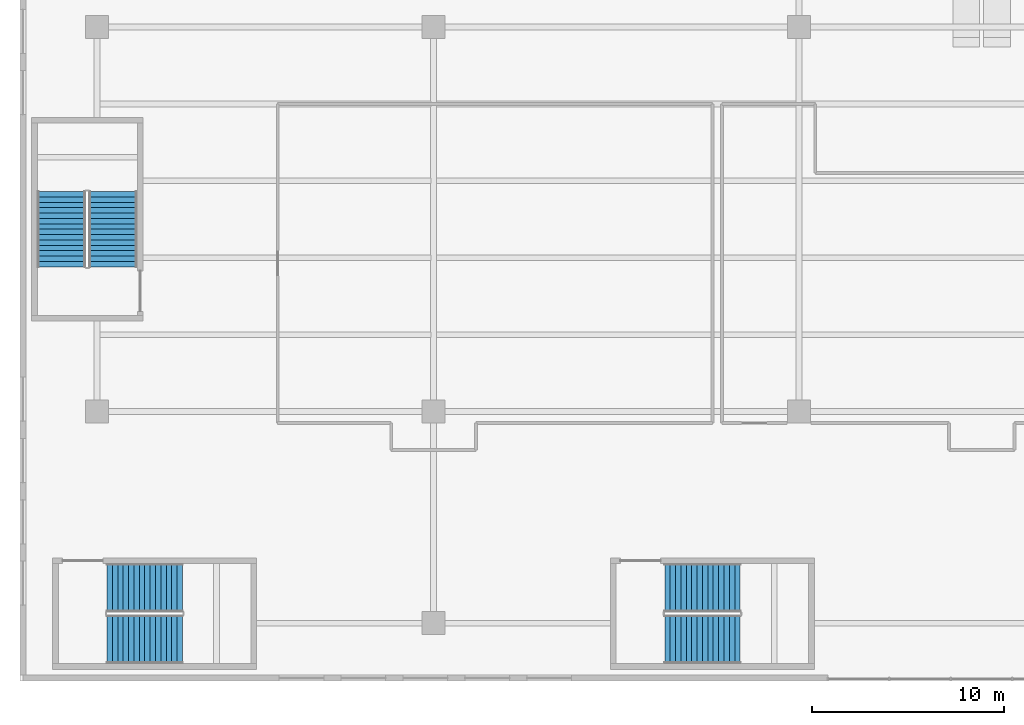
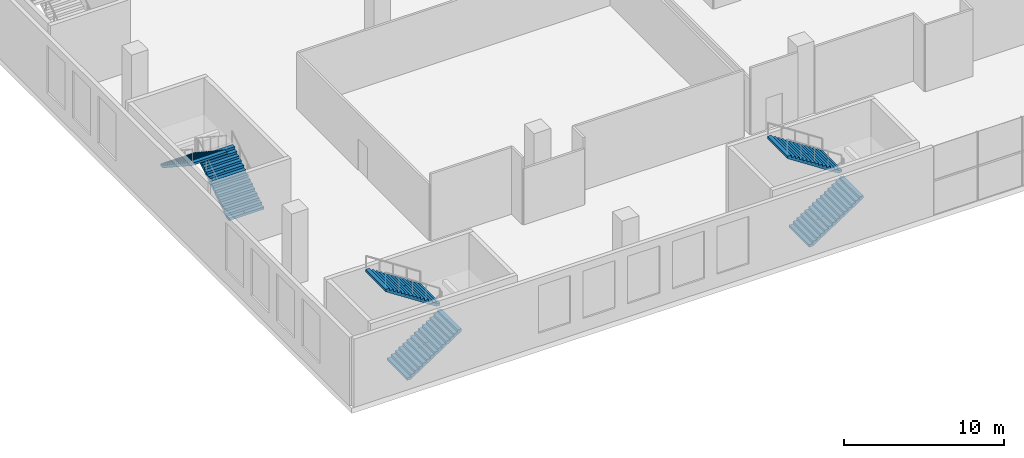
# One storey, part 13 of 26: 6 stair flights, 3 elements without a shape of their own.
"""IFC4 building model written with IfcOpenShell, lengths in metres."""

import ifcopenshell
import ifcopenshell.guid

model = None  # the IFC model being written
_history = None  # IfcOwnerHistory: only IFC2X3 demands one
_inside = {}  # id of a spatial element -> (the spatial element, [elements in it])
_under = {}  # id of a project, library or spatial element -> (it, [spatial elements below it])
_declared = {}  # id of a project -> (the project, [libraries it declares])
_typed = {}  # id of a type object -> (the type object, [elements of that type])
_made_of = {}  # id of a material, layer set ... -> (it, [elements and type objects made of it])


def new_model(schema):
    """Start an empty IFC model of exactly this schema.

    Asked for "IFC4X3", IfcOpenShell would pick the latest addendum, in which some entities
    have other attributes; the version numbers below select the first issue.
    IFC2X3 requires an IfcOwnerHistory on every rooted entity: one is made here for all.
    """
    global model, _history
    if schema == "IFC4X3":
        model = ifcopenshell.file(schema_version=(4, 3, 0, 0))
    else:
        model = ifcopenshell.file(schema=schema)
    _inside.clear()
    _under.clear()
    _declared.clear()
    _typed.clear()
    _made_of.clear()
    _history = None
    if model.schema == "IFC2X3":
        org = make("IfcOrganization", Name="unknown")
        user = make(
            "IfcPersonAndOrganization",
            ThePerson=make("IfcPerson", FamilyName="unknown"),
            TheOrganization=org,
        )
        app = make(
            "IfcApplication",
            ApplicationDeveloper=org,
            Version="unknown",
            ApplicationFullName="unknown",
            ApplicationIdentifier="unknown",
        )
        _history = make(
            "IfcOwnerHistory",
            OwningUser=user,
            OwningApplication=app,
            ChangeAction="ADDED",
            CreationDate=0,
        )
    return model


def make(cls, **values):
    """One entity of the class cls with the attributes given. An attribute that is None is left unset."""
    return model.create_entity(
        cls, **{name: value for name, value in values.items() if value is not None}
    )


def rooted(cls, **values):
    """An entity with a GlobalId (a new one), such as an element, a storey or a relation."""
    return make(cls, GlobalId=ifcopenshell.guid.new(), OwnerHistory=_history, **values)


def si_unit(unit_type, name, prefix=None):
    """IfcSIUnit, for example si_unit("LENGTHUNIT", "METRE", prefix="MILLI")."""
    return make("IfcSIUnit", UnitType=unit_type, Prefix=prefix, Name=name)


def assignment(units):
    """IfcUnitAssignment: the units of a project."""
    return None if units is None else make("IfcUnitAssignment", Units=units)


def point(xyz):
    """IfcCartesianPoint."""
    return None if xyz is None else make("IfcCartesianPoint", Coordinates=xyz)


def direction(xyz):
    """IfcDirection."""
    return None if xyz is None else make("IfcDirection", DirectionRatios=xyz)


def frame(location, z_axis=None, x_axis=None):
    """IfcAxis2Placement3D, a coordinate frame: its origin and axes. An axis left out is left unset."""
    return make(
        "IfcAxis2Placement3D",
        Location=point(location),
        Axis=direction(z_axis),
        RefDirection=direction(x_axis),
    )


def origin():
    """The frame at (0, 0, 0) with its axes left unset."""
    return frame((0.0, 0.0, 0.0))


def place(relative_to, where):
    """IfcLocalPlacement: puts the frame where relative to a parent placement (None: the world)."""
    return make(
        "IfcLocalPlacement", PlacementRelTo=relative_to, RelativePlacement=where
    )


def context(
    kind, dimensions, precision=None, world=None, true_north=None, identifier=None
):
    """IfcGeometricRepresentationContext, for example the 3D "Model" context."""
    return make(
        "IfcGeometricRepresentationContext",
        ContextIdentifier=identifier,
        ContextType=kind,
        CoordinateSpaceDimension=dimensions,
        Precision=precision,
        WorldCoordinateSystem=world,
        TrueNorth=true_north,
    )


def subcontext(parent, identifier, kind, view, scale=None):
    """IfcGeometricRepresentationSubContext, for example "Body" below "Model"."""
    return make(
        "IfcGeometricRepresentationSubContext",
        ContextIdentifier=identifier,
        ContextType=kind,
        ParentContext=parent,
        TargetScale=scale,
        TargetView=view,
    )


def project(units=None, contexts=None):
    """IfcProject with its units and contexts."""
    return rooted(
        "IfcProject",
        Name="project",
        RepresentationContexts=contexts,
        UnitsInContext=assignment(units),
    )


def spatial(cls, under=None, at=None, **own):
    """A site, building, storey or space (cls), placed at a placement, below another one or the project."""
    s = rooted(cls, ObjectPlacement=at, **own)
    if under is not None:
        _under.setdefault(under.id(), (under, []))[1].append(s)
    return s


def polyline(points):
    """IfcPolyline through the points."""
    return make("IfcPolyline", Points=[point(p) for p in points])


def outline(outer, holes=None, kind="AREA"):
    """IfcArbitraryClosedProfileDef: a profile drawn as a closed curve; with holes, ...WithVoids."""
    if holes is None:
        return make("IfcArbitraryClosedProfileDef", ProfileType=kind, OuterCurve=outer)
    return make(
        "IfcArbitraryProfileDefWithVoids",
        ProfileType=kind,
        OuterCurve=outer,
        InnerCurves=holes,
    )


def extrude(swept, where, along, depth):
    """IfcExtrudedAreaSolid: the profile swept, set in the frame where, extruded along a direction by depth."""
    return make(
        "IfcExtrudedAreaSolid",
        SweptArea=swept,
        Position=where,
        ExtrudedDirection=direction(along),
        Depth=depth,
    )


def shape(context_of_items, identifier, shape_type, items):
    """IfcShapeRepresentation: the items that make up one representation, for example the "Body"."""
    return make(
        "IfcShapeRepresentation",
        ContextOfItems=context_of_items,
        RepresentationIdentifier=identifier,
        RepresentationType=shape_type,
        Items=items,
    )


def material(Name=None, Category=None):
    """IfcMaterial."""
    return make("IfcMaterial", Name=Name, Category=Category)


def made_of(thing, what):
    """Note that an element or type object is made of a material, layer set ...; save() writes the relation."""
    if what is not None:
        _made_of.setdefault(what.id(), (what, []))[1].append(thing)
    return thing


def type_object(cls, material=None, **own):
    """A type object (cls), such as IfcWallType, which elements share."""
    return made_of(rooted(cls, **own), material)


def element(
    cls,
    number,
    at=None,
    inside=None,
    cuts=None,
    type_object=None,
    material=None,
    context=None,
    identifier="Body",
    shape_type=None,
    held_by="IfcProductDefinitionShape",
    body=None,
    shapes=None,
    **own,
):
    """One element of the class cls, such as IfcWall. Its Tag is "e" and its number.

    at: its placement. inside: the storey or other place that contains it. cuts: it is an
    opening in that element (IfcRelVoidsElement). A single representation is given by context,
    identifier, shape_type and body (its items); several are given by shapes. held_by: the class
    of the entity that holds the representations. save() writes the other relations.
    """
    e = rooted(cls, Tag="e%d" % number, ObjectPlacement=at, **own)
    if body is not None:
        shapes = [shape(context, identifier, shape_type, body)]
    if shapes is not None:
        e.Representation = make(held_by, Representations=shapes)
    if inside is not None:
        _inside.setdefault(inside.id(), (inside, []))[1].append(e)
    if cuts is not None:
        rooted(
            "IfcRelVoidsElement", RelatingBuildingElement=cuts, RelatedOpeningElement=e
        )
    if type_object is not None:
        _typed.setdefault(type_object.id(), (type_object, []))[1].append(e)
    return made_of(e, material)


def aggregate(whole, parts):
    """IfcRelAggregates: a whole, such as a stair, and the parts it consists of."""
    return rooted("IfcRelAggregates", RelatingObject=whole, RelatedObjects=parts)


def save(model, path):
    """Write the relations noted so far, then the file.

    IfcRelAggregates (storeys below a building ...), IfcRelContainedInSpatialStructure (elements
    in a storey), IfcRelDefinesByType, IfcRelAssociatesMaterial and IfcRelDeclares: one each for
    every whole, place, type object, material and project.
    """
    for whole, parts in _under.values():
        aggregate(whole, parts)
    for where, things in _inside.values():
        rooted(
            "IfcRelContainedInSpatialStructure",
            RelatedElements=things,
            RelatingStructure=where,
        )
    for kind, things in _typed.values():
        rooted("IfcRelDefinesByType", RelatedObjects=things, RelatingType=kind)
    for what, things in _made_of.values():
        rooted("IfcRelAssociatesMaterial", RelatedObjects=things, RelatingMaterial=what)
    for by, libraries in _declared.values():
        rooted("IfcRelDeclares", RelatingContext=by, RelatedDefinitions=libraries)
    model.write(path)


model = new_model("IFC4")

# Units and contexts
model_context = context("Model", 3, precision=1e-05, world=origin(), true_north=direction((0.0, 1.0)))
body_context = subcontext(model_context, "Body", "Model", "MODEL_VIEW")
ifc_project = project(units=[si_unit("LENGTHUNIT", "METRE"), si_unit("AREAUNIT", "SQUARE_METRE"), si_unit("VOLUMEUNIT", "CUBIC_METRE"), si_unit("PLANEANGLEUNIT", "RADIAN"), si_unit("MASSUNIT", "GRAM", prefix="KILO")], contexts=[model_context])

# Site, building, storey
site_placement = place(None, origin())
site = spatial("IfcSite", under=ifc_project, at=site_placement, CompositionType="ELEMENT")
building_placement = place(site_placement, origin())
building = spatial("IfcBuilding", under=site, at=building_placement, Name="Tel Ilan Convention Tower", CompositionType="ELEMENT")
storey_placement = place(building_placement, frame((0.0, 0.0, 37.5)))
storey = spatial("IfcBuildingStorey", under=building, at=storey_placement, Name="L05", CompositionType="ELEMENT", Elevation=37.5)

# Stair, stair flights
ifc_material_1 = material(Name="Concrete C40/50", Category="concrete")
stair_type = type_object("IfcStairType", Name="Pressurised Exit Stair 30 risers 183 mm", PredefinedType="HALF_TURN_STAIR", material=ifc_material_1)
stair_1_placement = place(storey_placement, origin())
stair_1 = element("IfcStair", 1, at=stair_1_placement, inside=storey, type_object=stair_type, Name="L05 Podium Exit Stair P1", PredefinedType="HALF_TURN_STAIR")
ifc_material_2 = material(Name="Precast Concrete C40/50", Category="concrete")
stair_flight_type = type_object("IfcStairFlightType", Name="Concrete Stair Flight 2525 mm 30 risers 183 mm", PredefinedType="STRAIGHT", material=ifc_material_2)
stair_flight_1_placement = place(storey_placement, frame((-45.47509765625, -79.83740234375, 0.0), z_axis=(0.0, 0.0, 1.0), x_axis=(1.0, 0.0, 0.0)))
stair_flight_1 = element("IfcStairFlight", 2, at=stair_flight_1_placement, type_object=stair_flight_type, Name="P1 flight 1", NumberOfRisers=15, NumberOfTreads=14, PredefinedType="STRAIGHT", RiserHeight=0.183333333, TreadLength=0.28, context=body_context, shape_type="SweptSolid", body=[
    extrude(outline(polyline([(0.0, 0.0), (0.0, 0.183349609375), (0.280029296875, 0.183349609375), (0.280029296875, 0.36669921875), (0.56005859375, 0.36669921875), (0.56005859375, 0.550048828125), (0.840087890625, 0.550048828125), (0.840087890625, 0.7333984375), (1.1201171875, 0.7333984375), (1.1201171875, 0.916748046875), (1.39990234375, 0.916748046875), (1.39990234375, 1.10009765625), (1.679931640625, 1.10009765625), (1.679931640625, 1.283447265625), (1.9599609375, 1.283447265625), (1.9599609375, 1.466552734375), (2.239990234375, 1.466552734375), (2.239990234375, 1.64990234375), (2.52001953125, 1.64990234375), (2.52001953125, 1.833251953125), (2.800048828125, 1.833251953125), (2.800048828125, 2.0166015625), (3.080078125, 2.0166015625), (3.080078125, 2.199951171875), (3.360107421875, 2.199951171875), (3.360107421875, 2.38330078125), (3.639892578125, 2.38330078125), (3.639892578125, 2.566650390625), (3.919921875, 2.566650390625), (3.919921875, 2.75), (3.919921875, 2.387451171875), (0.273681640625, 0.0), (0.0, 0.0)])), frame((0.0, -0.100341796875, 0.0), z_axis=(0.0, -1.0, 0.0), x_axis=(1.0, 0.0, 0.0)), (0.0, 0.0, 1.0), 1.162109375),
    extrude(outline(polyline([(0.0, 0.0), (0.0, 0.183349609375), (0.280029296875, 0.183349609375), (0.280029296875, 0.36669921875), (0.56005859375, 0.36669921875), (0.56005859375, 0.550048828125), (0.840087890625, 0.550048828125), (0.840087890625, 0.7333984375), (1.1201171875, 0.7333984375), (1.1201171875, 0.916748046875), (1.39990234375, 0.916748046875), (1.39990234375, 1.10009765625), (1.679931640625, 1.10009765625), (1.679931640625, 1.283447265625), (1.9599609375, 1.283447265625), (1.9599609375, 1.466552734375), (2.239990234375, 1.466552734375), (2.239990234375, 1.64990234375), (2.52001953125, 1.64990234375), (2.52001953125, 1.833251953125), (2.800048828125, 1.833251953125), (2.800048828125, 2.0166015625), (3.080078125, 2.0166015625), (3.080078125, 2.199951171875), (3.360107421875, 2.199951171875), (3.360107421875, 2.38330078125), (3.639892578125, 2.38330078125), (3.639892578125, 2.566650390625), (3.919921875, 2.566650390625), (3.919921875, 2.75), (3.919921875, 2.387451171875), (0.273681640625, 0.0), (0.0, 0.0)])), frame((0.0, -0.000244140625, 0.0), z_axis=(0.0, -1.0, 0.0), x_axis=(1.0, 0.0, 0.0)), (0.0, 0.0, 1.0), 0.099609375),
    extrude(outline(polyline([(0.0, 0.0), (0.0, 0.183349609375), (0.280029296875, 0.183349609375), (0.280029296875, 0.36669921875), (0.56005859375, 0.36669921875), (0.56005859375, 0.550048828125), (0.840087890625, 0.550048828125), (0.840087890625, 0.7333984375), (1.1201171875, 0.7333984375), (1.1201171875, 0.916748046875), (1.39990234375, 0.916748046875), (1.39990234375, 1.10009765625), (1.679931640625, 1.10009765625), (1.679931640625, 1.283447265625), (1.9599609375, 1.283447265625), (1.9599609375, 1.466552734375), (2.239990234375, 1.466552734375), (2.239990234375, 1.64990234375), (2.52001953125, 1.64990234375), (2.52001953125, 1.833251953125), (2.800048828125, 1.833251953125), (2.800048828125, 2.0166015625), (3.080078125, 2.0166015625), (3.080078125, 2.199951171875), (3.360107421875, 2.199951171875), (3.360107421875, 2.38330078125), (3.639892578125, 2.38330078125), (3.639892578125, 2.566650390625), (3.919921875, 2.566650390625), (3.919921875, 2.75), (3.919921875, 2.387451171875), (0.273681640625, 0.0), (0.0, 0.0)])), frame((0.0, 0.099853515625, 0.0), z_axis=(0.0, -1.0, 0.0), x_axis=(1.0, 0.0, 0.0)), (0.0, 0.0, 1.0), 0.099609375),
    extrude(outline(polyline([(0.0, 0.0), (0.0, 0.183349609375), (0.280029296875, 0.183349609375), (0.280029296875, 0.36669921875), (0.56005859375, 0.36669921875), (0.56005859375, 0.550048828125), (0.840087890625, 0.550048828125), (0.840087890625, 0.7333984375), (1.1201171875, 0.7333984375), (1.1201171875, 0.916748046875), (1.39990234375, 0.916748046875), (1.39990234375, 1.10009765625), (1.679931640625, 1.10009765625), (1.679931640625, 1.283447265625), (1.9599609375, 1.283447265625), (1.9599609375, 1.466552734375), (2.239990234375, 1.466552734375), (2.239990234375, 1.64990234375), (2.52001953125, 1.64990234375), (2.52001953125, 1.833251953125), (2.800048828125, 1.833251953125), (2.800048828125, 2.0166015625), (3.080078125, 2.0166015625), (3.080078125, 2.199951171875), (3.360107421875, 2.199951171875), (3.360107421875, 2.38330078125), (3.639892578125, 2.38330078125), (3.639892578125, 2.566650390625), (3.919921875, 2.566650390625), (3.919921875, 2.75), (3.919921875, 2.387451171875), (0.273681640625, 0.0), (0.0, 0.0)])), frame((0.0, 1.262451171875, 0.0), z_axis=(0.0, -1.0, 0.0), x_axis=(1.0, 0.0, 0.0)), (0.0, 0.0, 1.0), 1.162109375),
])
stair_flight_2_placement = place(storey_placement, frame((-41.554931640625, -77.16259765625, 2.75), z_axis=(0.0, 0.0, 1.0), x_axis=(-1.0, 0.0, 0.0)))
stair_flight_2 = element("IfcStairFlight", 3, at=stair_flight_2_placement, type_object=stair_flight_type, Name="P1 flight 2", NumberOfRisers=15, NumberOfTreads=14, PredefinedType="STRAIGHT", RiserHeight=0.183333333, TreadLength=0.28, context=body_context, shape_type="SweptSolid", body=[
    extrude(outline(polyline([(0.0, 0.0), (0.0, 0.183349609375), (0.280029296875, 0.183349609375), (0.280029296875, 0.36669921875), (0.56005859375, 0.36669921875), (0.56005859375, 0.550048828125), (0.840087890625, 0.550048828125), (0.840087890625, 0.7333984375), (1.1201171875, 0.7333984375), (1.1201171875, 0.916748046875), (1.39990234375, 0.916748046875), (1.39990234375, 1.10009765625), (1.679931640625, 1.10009765625), (1.679931640625, 1.283447265625), (1.9599609375, 1.283447265625), (1.9599609375, 1.466552734375), (2.239990234375, 1.466552734375), (2.239990234375, 1.64990234375), (2.52001953125, 1.64990234375), (2.52001953125, 1.833251953125), (2.800048828125, 1.833251953125), (2.800048828125, 2.0166015625), (3.080078125, 2.0166015625), (3.080078125, 2.199951171875), (3.360107421875, 2.199951171875), (3.360107421875, 2.38330078125), (3.639892578125, 2.38330078125), (3.639892578125, 2.566650390625), (3.919921875, 2.566650390625), (3.919921875, 2.75), (3.919921875, 2.387451171875), (0.273681640625, 0.0), (0.0, 0.0)])), frame((0.0, -0.100341796875, 0.0), z_axis=(0.0, -1.0, 0.0), x_axis=(1.0, 0.0, 0.0)), (0.0, 0.0, 1.0), 1.162109375),
    extrude(outline(polyline([(0.0, 0.0), (0.0, 0.183349609375), (0.280029296875, 0.183349609375), (0.280029296875, 0.36669921875), (0.56005859375, 0.36669921875), (0.56005859375, 0.550048828125), (0.840087890625, 0.550048828125), (0.840087890625, 0.7333984375), (1.1201171875, 0.7333984375), (1.1201171875, 0.916748046875), (1.39990234375, 0.916748046875), (1.39990234375, 1.10009765625), (1.679931640625, 1.10009765625), (1.679931640625, 1.283447265625), (1.9599609375, 1.283447265625), (1.9599609375, 1.466552734375), (2.239990234375, 1.466552734375), (2.239990234375, 1.64990234375), (2.52001953125, 1.64990234375), (2.52001953125, 1.833251953125), (2.800048828125, 1.833251953125), (2.800048828125, 2.0166015625), (3.080078125, 2.0166015625), (3.080078125, 2.199951171875), (3.360107421875, 2.199951171875), (3.360107421875, 2.38330078125), (3.639892578125, 2.38330078125), (3.639892578125, 2.566650390625), (3.919921875, 2.566650390625), (3.919921875, 2.75), (3.919921875, 2.387451171875), (0.273681640625, 0.0), (0.0, 0.0)])), frame((0.0, -0.000244140625, 0.0), z_axis=(0.0, -1.0, 0.0), x_axis=(1.0, 0.0, 0.0)), (0.0, 0.0, 1.0), 0.099609375),
    extrude(outline(polyline([(0.0, 0.0), (0.0, 0.183349609375), (0.280029296875, 0.183349609375), (0.280029296875, 0.36669921875), (0.56005859375, 0.36669921875), (0.56005859375, 0.550048828125), (0.840087890625, 0.550048828125), (0.840087890625, 0.7333984375), (1.1201171875, 0.7333984375), (1.1201171875, 0.916748046875), (1.39990234375, 0.916748046875), (1.39990234375, 1.10009765625), (1.679931640625, 1.10009765625), (1.679931640625, 1.283447265625), (1.9599609375, 1.283447265625), (1.9599609375, 1.466552734375), (2.239990234375, 1.466552734375), (2.239990234375, 1.64990234375), (2.52001953125, 1.64990234375), (2.52001953125, 1.833251953125), (2.800048828125, 1.833251953125), (2.800048828125, 2.0166015625), (3.080078125, 2.0166015625), (3.080078125, 2.199951171875), (3.360107421875, 2.199951171875), (3.360107421875, 2.38330078125), (3.639892578125, 2.38330078125), (3.639892578125, 2.566650390625), (3.919921875, 2.566650390625), (3.919921875, 2.75), (3.919921875, 2.387451171875), (0.273681640625, 0.0), (0.0, 0.0)])), frame((0.0, 0.099853515625, 0.0), z_axis=(0.0, -1.0, 0.0), x_axis=(1.0, 0.0, 0.0)), (0.0, 0.0, 1.0), 0.099609375),
    extrude(outline(polyline([(0.0, 0.0), (0.0, 0.183349609375), (0.280029296875, 0.183349609375), (0.280029296875, 0.36669921875), (0.56005859375, 0.36669921875), (0.56005859375, 0.550048828125), (0.840087890625, 0.550048828125), (0.840087890625, 0.7333984375), (1.1201171875, 0.7333984375), (1.1201171875, 0.916748046875), (1.39990234375, 0.916748046875), (1.39990234375, 1.10009765625), (1.679931640625, 1.10009765625), (1.679931640625, 1.283447265625), (1.9599609375, 1.283447265625), (1.9599609375, 1.466552734375), (2.239990234375, 1.466552734375), (2.239990234375, 1.64990234375), (2.52001953125, 1.64990234375), (2.52001953125, 1.833251953125), (2.800048828125, 1.833251953125), (2.800048828125, 2.0166015625), (3.080078125, 2.0166015625), (3.080078125, 2.199951171875), (3.360107421875, 2.199951171875), (3.360107421875, 2.38330078125), (3.639892578125, 2.38330078125), (3.639892578125, 2.566650390625), (3.919921875, 2.566650390625), (3.919921875, 2.75), (3.919921875, 2.387451171875), (0.273681640625, 0.0), (0.0, 0.0)])), frame((0.0, 1.262451171875, 0.0), z_axis=(0.0, -1.0, 0.0), x_axis=(1.0, 0.0, 0.0)), (0.0, 0.0, 1.0), 1.162109375),
])
aggregate(stair_1, [stair_flight_1, stair_flight_2])

stair_2_placement = place(storey_placement, origin())
stair_2 = element("IfcStair", 4, at=stair_2_placement, inside=storey, type_object=stair_type, Name="L05 Podium Exit Stair P2", PredefinedType="HALF_TURN_STAIR")
stair_flight_3_placement = place(storey_placement, frame((-16.47509765625, -79.83740234375, 0.0), z_axis=(0.0, 0.0, 1.0), x_axis=(1.0, 0.0, 0.0)))
stair_flight_3 = element("IfcStairFlight", 5, at=stair_flight_3_placement, type_object=stair_flight_type, Name="P2 flight 1", NumberOfRisers=15, NumberOfTreads=14, PredefinedType="STRAIGHT", RiserHeight=0.183333333, TreadLength=0.28, context=body_context, shape_type="SweptSolid", body=[
    extrude(outline(polyline([(0.0, 0.0), (0.0, 0.183349609375), (0.280029296875, 0.183349609375), (0.280029296875, 0.36669921875), (0.56005859375, 0.36669921875), (0.56005859375, 0.550048828125), (0.840087890625, 0.550048828125), (0.840087890625, 0.7333984375), (1.1201171875, 0.7333984375), (1.1201171875, 0.916748046875), (1.39990234375, 0.916748046875), (1.39990234375, 1.10009765625), (1.679931640625, 1.10009765625), (1.679931640625, 1.283447265625), (1.9599609375, 1.283447265625), (1.9599609375, 1.466552734375), (2.239990234375, 1.466552734375), (2.239990234375, 1.64990234375), (2.52001953125, 1.64990234375), (2.52001953125, 1.833251953125), (2.800048828125, 1.833251953125), (2.800048828125, 2.0166015625), (3.080078125, 2.0166015625), (3.080078125, 2.199951171875), (3.360107421875, 2.199951171875), (3.360107421875, 2.38330078125), (3.639892578125, 2.38330078125), (3.639892578125, 2.566650390625), (3.919921875, 2.566650390625), (3.919921875, 2.75), (3.919921875, 2.387451171875), (0.273681640625, 0.0), (0.0, 0.0)])), frame((0.0, -0.100341796875, 0.0), z_axis=(0.0, -1.0, 0.0), x_axis=(1.0, 0.0, 0.0)), (0.0, 0.0, 1.0), 1.162109375),
    extrude(outline(polyline([(0.0, 0.0), (0.0, 0.183349609375), (0.280029296875, 0.183349609375), (0.280029296875, 0.36669921875), (0.56005859375, 0.36669921875), (0.56005859375, 0.550048828125), (0.840087890625, 0.550048828125), (0.840087890625, 0.7333984375), (1.1201171875, 0.7333984375), (1.1201171875, 0.916748046875), (1.39990234375, 0.916748046875), (1.39990234375, 1.10009765625), (1.679931640625, 1.10009765625), (1.679931640625, 1.283447265625), (1.9599609375, 1.283447265625), (1.9599609375, 1.466552734375), (2.239990234375, 1.466552734375), (2.239990234375, 1.64990234375), (2.52001953125, 1.64990234375), (2.52001953125, 1.833251953125), (2.800048828125, 1.833251953125), (2.800048828125, 2.0166015625), (3.080078125, 2.0166015625), (3.080078125, 2.199951171875), (3.360107421875, 2.199951171875), (3.360107421875, 2.38330078125), (3.639892578125, 2.38330078125), (3.639892578125, 2.566650390625), (3.919921875, 2.566650390625), (3.919921875, 2.75), (3.919921875, 2.387451171875), (0.273681640625, 0.0), (0.0, 0.0)])), frame((0.0, -0.000244140625, 0.0), z_axis=(0.0, -1.0, 0.0), x_axis=(1.0, 0.0, 0.0)), (0.0, 0.0, 1.0), 0.099609375),
    extrude(outline(polyline([(0.0, 0.0), (0.0, 0.183349609375), (0.280029296875, 0.183349609375), (0.280029296875, 0.36669921875), (0.56005859375, 0.36669921875), (0.56005859375, 0.550048828125), (0.840087890625, 0.550048828125), (0.840087890625, 0.7333984375), (1.1201171875, 0.7333984375), (1.1201171875, 0.916748046875), (1.39990234375, 0.916748046875), (1.39990234375, 1.10009765625), (1.679931640625, 1.10009765625), (1.679931640625, 1.283447265625), (1.9599609375, 1.283447265625), (1.9599609375, 1.466552734375), (2.239990234375, 1.466552734375), (2.239990234375, 1.64990234375), (2.52001953125, 1.64990234375), (2.52001953125, 1.833251953125), (2.800048828125, 1.833251953125), (2.800048828125, 2.0166015625), (3.080078125, 2.0166015625), (3.080078125, 2.199951171875), (3.360107421875, 2.199951171875), (3.360107421875, 2.38330078125), (3.639892578125, 2.38330078125), (3.639892578125, 2.566650390625), (3.919921875, 2.566650390625), (3.919921875, 2.75), (3.919921875, 2.387451171875), (0.273681640625, 0.0), (0.0, 0.0)])), frame((0.0, 0.099853515625, 0.0), z_axis=(0.0, -1.0, 0.0), x_axis=(1.0, 0.0, 0.0)), (0.0, 0.0, 1.0), 0.099609375),
    extrude(outline(polyline([(0.0, 0.0), (0.0, 0.183349609375), (0.280029296875, 0.183349609375), (0.280029296875, 0.36669921875), (0.56005859375, 0.36669921875), (0.56005859375, 0.550048828125), (0.840087890625, 0.550048828125), (0.840087890625, 0.7333984375), (1.1201171875, 0.7333984375), (1.1201171875, 0.916748046875), (1.39990234375, 0.916748046875), (1.39990234375, 1.10009765625), (1.679931640625, 1.10009765625), (1.679931640625, 1.283447265625), (1.9599609375, 1.283447265625), (1.9599609375, 1.466552734375), (2.239990234375, 1.466552734375), (2.239990234375, 1.64990234375), (2.52001953125, 1.64990234375), (2.52001953125, 1.833251953125), (2.800048828125, 1.833251953125), (2.800048828125, 2.0166015625), (3.080078125, 2.0166015625), (3.080078125, 2.199951171875), (3.360107421875, 2.199951171875), (3.360107421875, 2.38330078125), (3.639892578125, 2.38330078125), (3.639892578125, 2.566650390625), (3.919921875, 2.566650390625), (3.919921875, 2.75), (3.919921875, 2.387451171875), (0.273681640625, 0.0), (0.0, 0.0)])), frame((0.0, 1.262451171875, 0.0), z_axis=(0.0, -1.0, 0.0), x_axis=(1.0, 0.0, 0.0)), (0.0, 0.0, 1.0), 1.162109375),
])
stair_flight_4_placement = place(storey_placement, frame((-12.554931640625, -77.16259765625, 2.75), z_axis=(0.0, 0.0, 1.0), x_axis=(-1.0, 0.0, 0.0)))
stair_flight_4 = element("IfcStairFlight", 6, at=stair_flight_4_placement, type_object=stair_flight_type, Name="P2 flight 2", NumberOfRisers=15, NumberOfTreads=14, PredefinedType="STRAIGHT", RiserHeight=0.183333333, TreadLength=0.28, context=body_context, shape_type="SweptSolid", body=[
    extrude(outline(polyline([(0.0, 0.0), (0.0, 0.183349609375), (0.280029296875, 0.183349609375), (0.280029296875, 0.36669921875), (0.56005859375, 0.36669921875), (0.56005859375, 0.550048828125), (0.840087890625, 0.550048828125), (0.840087890625, 0.7333984375), (1.1201171875, 0.7333984375), (1.1201171875, 0.916748046875), (1.39990234375, 0.916748046875), (1.39990234375, 1.10009765625), (1.679931640625, 1.10009765625), (1.679931640625, 1.283447265625), (1.9599609375, 1.283447265625), (1.9599609375, 1.466552734375), (2.239990234375, 1.466552734375), (2.239990234375, 1.64990234375), (2.52001953125, 1.64990234375), (2.52001953125, 1.833251953125), (2.800048828125, 1.833251953125), (2.800048828125, 2.0166015625), (3.080078125, 2.0166015625), (3.080078125, 2.199951171875), (3.360107421875, 2.199951171875), (3.360107421875, 2.38330078125), (3.639892578125, 2.38330078125), (3.639892578125, 2.566650390625), (3.919921875, 2.566650390625), (3.919921875, 2.75), (3.919921875, 2.387451171875), (0.273681640625, 0.0), (0.0, 0.0)])), frame((0.0, -0.100341796875, 0.0), z_axis=(0.0, -1.0, 0.0), x_axis=(1.0, 0.0, 0.0)), (0.0, 0.0, 1.0), 1.162109375),
    extrude(outline(polyline([(0.0, 0.0), (0.0, 0.183349609375), (0.280029296875, 0.183349609375), (0.280029296875, 0.36669921875), (0.56005859375, 0.36669921875), (0.56005859375, 0.550048828125), (0.840087890625, 0.550048828125), (0.840087890625, 0.7333984375), (1.1201171875, 0.7333984375), (1.1201171875, 0.916748046875), (1.39990234375, 0.916748046875), (1.39990234375, 1.10009765625), (1.679931640625, 1.10009765625), (1.679931640625, 1.283447265625), (1.9599609375, 1.283447265625), (1.9599609375, 1.466552734375), (2.239990234375, 1.466552734375), (2.239990234375, 1.64990234375), (2.52001953125, 1.64990234375), (2.52001953125, 1.833251953125), (2.800048828125, 1.833251953125), (2.800048828125, 2.0166015625), (3.080078125, 2.0166015625), (3.080078125, 2.199951171875), (3.360107421875, 2.199951171875), (3.360107421875, 2.38330078125), (3.639892578125, 2.38330078125), (3.639892578125, 2.566650390625), (3.919921875, 2.566650390625), (3.919921875, 2.75), (3.919921875, 2.387451171875), (0.273681640625, 0.0), (0.0, 0.0)])), frame((0.0, -0.000244140625, 0.0), z_axis=(0.0, -1.0, 0.0), x_axis=(1.0, 0.0, 0.0)), (0.0, 0.0, 1.0), 0.099609375),
    extrude(outline(polyline([(0.0, 0.0), (0.0, 0.183349609375), (0.280029296875, 0.183349609375), (0.280029296875, 0.36669921875), (0.56005859375, 0.36669921875), (0.56005859375, 0.550048828125), (0.840087890625, 0.550048828125), (0.840087890625, 0.7333984375), (1.1201171875, 0.7333984375), (1.1201171875, 0.916748046875), (1.39990234375, 0.916748046875), (1.39990234375, 1.10009765625), (1.679931640625, 1.10009765625), (1.679931640625, 1.283447265625), (1.9599609375, 1.283447265625), (1.9599609375, 1.466552734375), (2.239990234375, 1.466552734375), (2.239990234375, 1.64990234375), (2.52001953125, 1.64990234375), (2.52001953125, 1.833251953125), (2.800048828125, 1.833251953125), (2.800048828125, 2.0166015625), (3.080078125, 2.0166015625), (3.080078125, 2.199951171875), (3.360107421875, 2.199951171875), (3.360107421875, 2.38330078125), (3.639892578125, 2.38330078125), (3.639892578125, 2.566650390625), (3.919921875, 2.566650390625), (3.919921875, 2.75), (3.919921875, 2.387451171875), (0.273681640625, 0.0), (0.0, 0.0)])), frame((0.0, 0.099853515625, 0.0), z_axis=(0.0, -1.0, 0.0), x_axis=(1.0, 0.0, 0.0)), (0.0, 0.0, 1.0), 0.099609375),
    extrude(outline(polyline([(0.0, 0.0), (0.0, 0.183349609375), (0.280029296875, 0.183349609375), (0.280029296875, 0.36669921875), (0.56005859375, 0.36669921875), (0.56005859375, 0.550048828125), (0.840087890625, 0.550048828125), (0.840087890625, 0.7333984375), (1.1201171875, 0.7333984375), (1.1201171875, 0.916748046875), (1.39990234375, 0.916748046875), (1.39990234375, 1.10009765625), (1.679931640625, 1.10009765625), (1.679931640625, 1.283447265625), (1.9599609375, 1.283447265625), (1.9599609375, 1.466552734375), (2.239990234375, 1.466552734375), (2.239990234375, 1.64990234375), (2.52001953125, 1.64990234375), (2.52001953125, 1.833251953125), (2.800048828125, 1.833251953125), (2.800048828125, 2.0166015625), (3.080078125, 2.0166015625), (3.080078125, 2.199951171875), (3.360107421875, 2.199951171875), (3.360107421875, 2.38330078125), (3.639892578125, 2.38330078125), (3.639892578125, 2.566650390625), (3.919921875, 2.566650390625), (3.919921875, 2.75), (3.919921875, 2.387451171875), (0.273681640625, 0.0), (0.0, 0.0)])), frame((0.0, 1.262451171875, 0.0), z_axis=(0.0, -1.0, 0.0), x_axis=(1.0, 0.0, 0.0)), (0.0, 0.0, 1.0), 1.162109375),
])
aggregate(stair_2, [stair_flight_3, stair_flight_4])

stair_3_placement = place(storey_placement, origin())
stair_3 = element("IfcStair", 7, at=stair_3_placement, inside=storey, type_object=stair_type, Name="L05 Podium Exit Stair P5", PredefinedType="HALF_TURN_STAIR")
stair_flight_5_placement = place(storey_placement, frame((-45.16259765625, -60.47509765625, 0.0), z_axis=(0.0, 0.0, 1.0), x_axis=(0.0, 1.0, 0.0)))
stair_flight_5 = element("IfcStairFlight", 8, at=stair_flight_5_placement, type_object=stair_flight_type, Name="P5 flight 1", NumberOfRisers=15, NumberOfTreads=14, PredefinedType="STRAIGHT", RiserHeight=0.183333333, TreadLength=0.28, context=body_context, shape_type="SweptSolid", body=[
    extrude(outline(polyline([(0.0, 0.0), (0.0, 0.183349609375), (0.280029296875, 0.183349609375), (0.280029296875, 0.36669921875), (0.56005859375, 0.36669921875), (0.56005859375, 0.550048828125), (0.840087890625, 0.550048828125), (0.840087890625, 0.7333984375), (1.1201171875, 0.7333984375), (1.1201171875, 0.916748046875), (1.39990234375, 0.916748046875), (1.39990234375, 1.10009765625), (1.679931640625, 1.10009765625), (1.679931640625, 1.283447265625), (1.9599609375, 1.283447265625), (1.9599609375, 1.466552734375), (2.239990234375, 1.466552734375), (2.239990234375, 1.64990234375), (2.52001953125, 1.64990234375), (2.52001953125, 1.833251953125), (2.800048828125, 1.833251953125), (2.800048828125, 2.0166015625), (3.080078125, 2.0166015625), (3.080078125, 2.199951171875), (3.360107421875, 2.199951171875), (3.360107421875, 2.38330078125), (3.639892578125, 2.38330078125), (3.639892578125, 2.566650390625), (3.919921875, 2.566650390625), (3.919921875, 2.75), (3.919921875, 2.387451171875), (0.273681640625, 0.0), (0.0, 0.0)])), frame((0.0, -0.100341796875, 0.0), z_axis=(0.0, -1.0, 0.0), x_axis=(1.0, 0.0, 0.0)), (0.0, 0.0, 1.0), 1.162109375),
    extrude(outline(polyline([(0.0, 0.0), (0.0, 0.183349609375), (0.280029296875, 0.183349609375), (0.280029296875, 0.36669921875), (0.56005859375, 0.36669921875), (0.56005859375, 0.550048828125), (0.840087890625, 0.550048828125), (0.840087890625, 0.7333984375), (1.1201171875, 0.7333984375), (1.1201171875, 0.916748046875), (1.39990234375, 0.916748046875), (1.39990234375, 1.10009765625), (1.679931640625, 1.10009765625), (1.679931640625, 1.283447265625), (1.9599609375, 1.283447265625), (1.9599609375, 1.466552734375), (2.239990234375, 1.466552734375), (2.239990234375, 1.64990234375), (2.52001953125, 1.64990234375), (2.52001953125, 1.833251953125), (2.800048828125, 1.833251953125), (2.800048828125, 2.0166015625), (3.080078125, 2.0166015625), (3.080078125, 2.199951171875), (3.360107421875, 2.199951171875), (3.360107421875, 2.38330078125), (3.639892578125, 2.38330078125), (3.639892578125, 2.566650390625), (3.919921875, 2.566650390625), (3.919921875, 2.75), (3.919921875, 2.387451171875), (0.273681640625, 0.0), (0.0, 0.0)])), frame((0.0, -0.000244140625, 0.0), z_axis=(0.0, -1.0, 0.0), x_axis=(1.0, 0.0, 0.0)), (0.0, 0.0, 1.0), 0.099609375),
    extrude(outline(polyline([(0.0, 0.0), (0.0, 0.183349609375), (0.280029296875, 0.183349609375), (0.280029296875, 0.36669921875), (0.56005859375, 0.36669921875), (0.56005859375, 0.550048828125), (0.840087890625, 0.550048828125), (0.840087890625, 0.7333984375), (1.1201171875, 0.7333984375), (1.1201171875, 0.916748046875), (1.39990234375, 0.916748046875), (1.39990234375, 1.10009765625), (1.679931640625, 1.10009765625), (1.679931640625, 1.283447265625), (1.9599609375, 1.283447265625), (1.9599609375, 1.466552734375), (2.239990234375, 1.466552734375), (2.239990234375, 1.64990234375), (2.52001953125, 1.64990234375), (2.52001953125, 1.833251953125), (2.800048828125, 1.833251953125), (2.800048828125, 2.0166015625), (3.080078125, 2.0166015625), (3.080078125, 2.199951171875), (3.360107421875, 2.199951171875), (3.360107421875, 2.38330078125), (3.639892578125, 2.38330078125), (3.639892578125, 2.566650390625), (3.919921875, 2.566650390625), (3.919921875, 2.75), (3.919921875, 2.387451171875), (0.273681640625, 0.0), (0.0, 0.0)])), frame((0.0, 0.099853515625, 0.0), z_axis=(0.0, -1.0, 0.0), x_axis=(1.0, 0.0, 0.0)), (0.0, 0.0, 1.0), 0.099609375),
    extrude(outline(polyline([(0.0, 0.0), (0.0, 0.183349609375), (0.280029296875, 0.183349609375), (0.280029296875, 0.36669921875), (0.56005859375, 0.36669921875), (0.56005859375, 0.550048828125), (0.840087890625, 0.550048828125), (0.840087890625, 0.7333984375), (1.1201171875, 0.7333984375), (1.1201171875, 0.916748046875), (1.39990234375, 0.916748046875), (1.39990234375, 1.10009765625), (1.679931640625, 1.10009765625), (1.679931640625, 1.283447265625), (1.9599609375, 1.283447265625), (1.9599609375, 1.466552734375), (2.239990234375, 1.466552734375), (2.239990234375, 1.64990234375), (2.52001953125, 1.64990234375), (2.52001953125, 1.833251953125), (2.800048828125, 1.833251953125), (2.800048828125, 2.0166015625), (3.080078125, 2.0166015625), (3.080078125, 2.199951171875), (3.360107421875, 2.199951171875), (3.360107421875, 2.38330078125), (3.639892578125, 2.38330078125), (3.639892578125, 2.566650390625), (3.919921875, 2.566650390625), (3.919921875, 2.75), (3.919921875, 2.387451171875), (0.273681640625, 0.0), (0.0, 0.0)])), frame((0.0, 1.262451171875, 0.0), z_axis=(0.0, -1.0, 0.0), x_axis=(1.0, 0.0, 0.0)), (0.0, 0.0, 1.0), 1.162109375),
])
stair_flight_6_placement = place(storey_placement, frame((-47.83740234375, -56.554931640625, 2.75), z_axis=(0.0, 0.0, 1.0), x_axis=(0.0, -1.0, 0.0)))
stair_flight_6 = element("IfcStairFlight", 9, at=stair_flight_6_placement, type_object=stair_flight_type, Name="P5 flight 2", NumberOfRisers=15, NumberOfTreads=14, PredefinedType="STRAIGHT", RiserHeight=0.183333333, TreadLength=0.28, context=body_context, shape_type="SweptSolid", body=[
    extrude(outline(polyline([(0.0, 0.0), (0.0, 0.183349609375), (0.280029296875, 0.183349609375), (0.280029296875, 0.36669921875), (0.56005859375, 0.36669921875), (0.56005859375, 0.550048828125), (0.840087890625, 0.550048828125), (0.840087890625, 0.7333984375), (1.1201171875, 0.7333984375), (1.1201171875, 0.916748046875), (1.39990234375, 0.916748046875), (1.39990234375, 1.10009765625), (1.679931640625, 1.10009765625), (1.679931640625, 1.283447265625), (1.9599609375, 1.283447265625), (1.9599609375, 1.466552734375), (2.239990234375, 1.466552734375), (2.239990234375, 1.64990234375), (2.52001953125, 1.64990234375), (2.52001953125, 1.833251953125), (2.800048828125, 1.833251953125), (2.800048828125, 2.0166015625), (3.080078125, 2.0166015625), (3.080078125, 2.199951171875), (3.360107421875, 2.199951171875), (3.360107421875, 2.38330078125), (3.639892578125, 2.38330078125), (3.639892578125, 2.566650390625), (3.919921875, 2.566650390625), (3.919921875, 2.75), (3.919921875, 2.387451171875), (0.273681640625, 0.0), (0.0, 0.0)])), frame((0.0, -0.100341796875, 0.0), z_axis=(0.0, -1.0, 0.0), x_axis=(1.0, 0.0, 0.0)), (0.0, 0.0, 1.0), 1.162109375),
    extrude(outline(polyline([(0.0, 0.0), (0.0, 0.183349609375), (0.280029296875, 0.183349609375), (0.280029296875, 0.36669921875), (0.56005859375, 0.36669921875), (0.56005859375, 0.550048828125), (0.840087890625, 0.550048828125), (0.840087890625, 0.7333984375), (1.1201171875, 0.7333984375), (1.1201171875, 0.916748046875), (1.39990234375, 0.916748046875), (1.39990234375, 1.10009765625), (1.679931640625, 1.10009765625), (1.679931640625, 1.283447265625), (1.9599609375, 1.283447265625), (1.9599609375, 1.466552734375), (2.239990234375, 1.466552734375), (2.239990234375, 1.64990234375), (2.52001953125, 1.64990234375), (2.52001953125, 1.833251953125), (2.800048828125, 1.833251953125), (2.800048828125, 2.0166015625), (3.080078125, 2.0166015625), (3.080078125, 2.199951171875), (3.360107421875, 2.199951171875), (3.360107421875, 2.38330078125), (3.639892578125, 2.38330078125), (3.639892578125, 2.566650390625), (3.919921875, 2.566650390625), (3.919921875, 2.75), (3.919921875, 2.387451171875), (0.273681640625, 0.0), (0.0, 0.0)])), frame((0.0, -0.000244140625, 0.0), z_axis=(0.0, -1.0, 0.0), x_axis=(1.0, 0.0, 0.0)), (0.0, 0.0, 1.0), 0.099609375),
    extrude(outline(polyline([(0.0, 0.0), (0.0, 0.183349609375), (0.280029296875, 0.183349609375), (0.280029296875, 0.36669921875), (0.56005859375, 0.36669921875), (0.56005859375, 0.550048828125), (0.840087890625, 0.550048828125), (0.840087890625, 0.7333984375), (1.1201171875, 0.7333984375), (1.1201171875, 0.916748046875), (1.39990234375, 0.916748046875), (1.39990234375, 1.10009765625), (1.679931640625, 1.10009765625), (1.679931640625, 1.283447265625), (1.9599609375, 1.283447265625), (1.9599609375, 1.466552734375), (2.239990234375, 1.466552734375), (2.239990234375, 1.64990234375), (2.52001953125, 1.64990234375), (2.52001953125, 1.833251953125), (2.800048828125, 1.833251953125), (2.800048828125, 2.0166015625), (3.080078125, 2.0166015625), (3.080078125, 2.199951171875), (3.360107421875, 2.199951171875), (3.360107421875, 2.38330078125), (3.639892578125, 2.38330078125), (3.639892578125, 2.566650390625), (3.919921875, 2.566650390625), (3.919921875, 2.75), (3.919921875, 2.387451171875), (0.273681640625, 0.0), (0.0, 0.0)])), frame((0.0, 0.099853515625, 0.0), z_axis=(0.0, -1.0, 0.0), x_axis=(1.0, 0.0, 0.0)), (0.0, 0.0, 1.0), 0.099609375),
    extrude(outline(polyline([(0.0, 0.0), (0.0, 0.183349609375), (0.280029296875, 0.183349609375), (0.280029296875, 0.36669921875), (0.56005859375, 0.36669921875), (0.56005859375, 0.550048828125), (0.840087890625, 0.550048828125), (0.840087890625, 0.7333984375), (1.1201171875, 0.7333984375), (1.1201171875, 0.916748046875), (1.39990234375, 0.916748046875), (1.39990234375, 1.10009765625), (1.679931640625, 1.10009765625), (1.679931640625, 1.283447265625), (1.9599609375, 1.283447265625), (1.9599609375, 1.466552734375), (2.239990234375, 1.466552734375), (2.239990234375, 1.64990234375), (2.52001953125, 1.64990234375), (2.52001953125, 1.833251953125), (2.800048828125, 1.833251953125), (2.800048828125, 2.0166015625), (3.080078125, 2.0166015625), (3.080078125, 2.199951171875), (3.360107421875, 2.199951171875), (3.360107421875, 2.38330078125), (3.639892578125, 2.38330078125), (3.639892578125, 2.566650390625), (3.919921875, 2.566650390625), (3.919921875, 2.75), (3.919921875, 2.387451171875), (0.273681640625, 0.0), (0.0, 0.0)])), frame((0.0, 1.262451171875, 0.0), z_axis=(0.0, -1.0, 0.0), x_axis=(1.0, 0.0, 0.0)), (0.0, 0.0, 1.0), 1.162109375),
])
aggregate(stair_3, [stair_flight_5, stair_flight_6])

save(model, "model.ifc")
